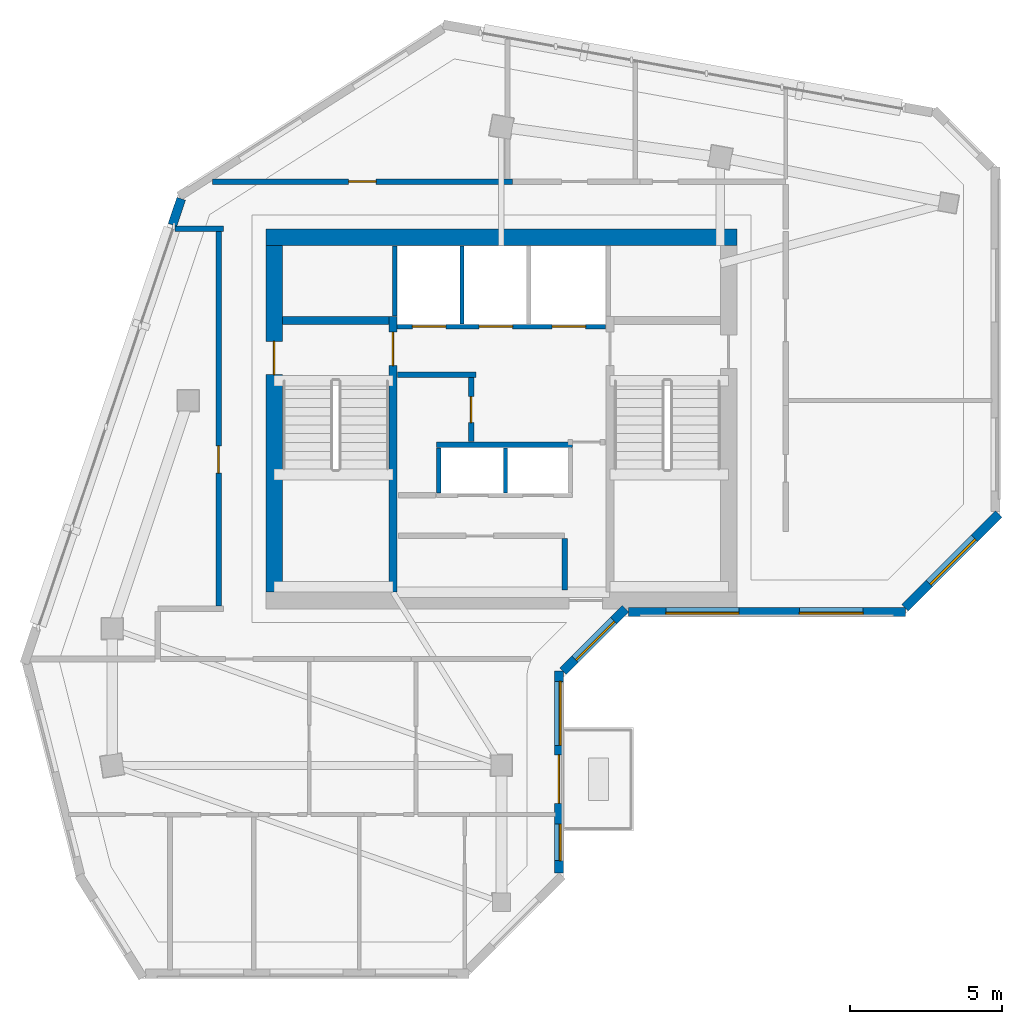
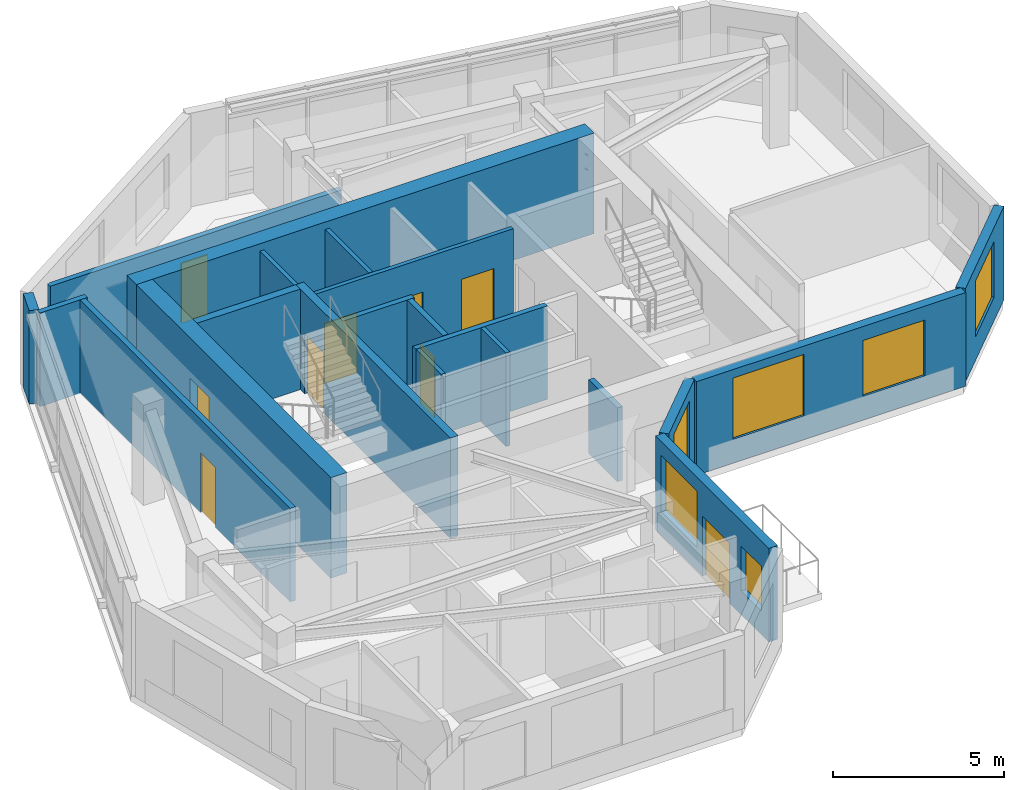
# One storey, part 4 of 8: 21 walls, 9 doors, 6 windows, 15 openings.
"""IFC4 building model written with IfcOpenShell, lengths in metres."""

from ifc_helpers import new_model, si_unit, direction, frame, frame_2d, origin, place, context, subcontext, project, spatial, rectangle, extrude, source, transform, mapped, material, layer, layer_set, type_object, element, fill, save


model = new_model("IFC4")

# Units and contexts
model_context = context("Model", 3, precision=1e-05, world=origin(), true_north=direction((0.0, 1.0)))
body_context = subcontext(model_context, "Body", "Model", "MODEL_VIEW")
ifc_project = project(units=[si_unit("LENGTHUNIT", "METRE"), si_unit("AREAUNIT", "SQUARE_METRE"), si_unit("VOLUMEUNIT", "CUBIC_METRE"), si_unit("PLANEANGLEUNIT", "RADIAN"), si_unit("MASSUNIT", "GRAM", prefix="KILO")], contexts=[model_context])

# Site, building, storey
site_placement = place(None, origin())
site = spatial("IfcSite", under=ifc_project, at=site_placement, CompositionType="ELEMENT")
building_placement = place(site_placement, origin())
building = spatial("IfcBuilding", under=site, at=building_placement, Name="Calvemar Wedge Station Tower", CompositionType="ELEMENT")
storey_placement = place(building_placement, frame((0.0, 0.0, 281.699951171875)))
storey = spatial("IfcBuildingStorey", under=building, at=storey_placement, Name="L72", CompositionType="ELEMENT", Elevation=281.699951171875)

# Wall, opening, door
ifc_material_1 = material(Name="Concrete C50", Category="concrete")
ifc_layer_1 = layer(ifc_material_1, 0.260009765625)
ifc_layer_set_1 = layer_set([ifc_layer_1], Name="Concrete C50")
wall_type_1 = type_object("IfcWallType", Name="SW-CORE-260", PredefinedType="SHEAR", material=ifc_layer_set_1)
wall_1_placement = place(storey_placement, frame((20.22998046875, 34.199951171875, 0.0), z_axis=(0.0, 0.0, 1.0), x_axis=(0.0, 1.0, 0.0)))
wall_1 = element("IfcWall", 1, at=wall_1_placement, inside=storey, type_object=wall_type_1, Name="Storey L72 Core Shear Wall SPINE-W", PredefinedType="SHEAR", context=body_context, shape_type="SweptSolid", body=[
    extrude(rectangle(XDim=9.06005859375, YDim=0.260009765625, at=frame_2d((4.530029296875, 0.0))), origin(), (0.0, 0.0, 1.0), 3.60009765625),
])
shared_shape_1 = source(origin(), body_context, "Body", "SweptSolid", [
    extrude(rectangle(XDim=1.10009765625, YDim=2.14990234375, at=frame_2d((0.550048828125, 1.074951171875))), frame((0.0, 0.14013671875, 0.0), z_axis=(0.0, -1.0, 0.0), x_axis=(1.0, 0.0, 0.0)), (0.0, 0.0, 1.0), 0.280029296875),
])
opening_1_placement = place(wall_1_placement, frame((7.449951171875, 0.0, 0.0)))
opening_1 = element("IfcOpeningElement", 2, at=opening_1_placement, cuts=wall_1, Name="Opening FD-90", PredefinedType="OPENING", context=body_context, shape_type="MappedRepresentation", body=[
    mapped(shared_shape_1, transform((0.0, 0.0, 0.0), scale=1.0)),
])
ifc_material_2 = material(Name="Galvanized fire-rated steel door leaf P-90", Category="steel")
door_type_1 = type_object("IfcDoorType", Name="DR-FD90-1100", OperationType="NOTDEFINED", PredefinedType="DOOR", material=ifc_material_2)
shared_shape_2 = source(origin(), body_context, "Body", "SweptSolid", [
    extrude(rectangle(XDim=1.10009765625, YDim=2.14990234375, at=frame_2d((0.550048828125, 1.074951171875))), frame((0.0, 0.02490234375, 0.0), z_axis=(0.0, -1.0, 0.0), x_axis=(1.0, 0.0, 0.0)), (0.0, 0.0, 1.0), 0.050048828125),
])
door_1_placement = place(opening_1_placement, origin())
door_1 = element("IfcDoor", 3, at=door_1_placement, inside=storey, type_object=door_type_1, Name="L72 FF Lobby to Stair ST-C1 Door", OperationType="SINGLE_SWING_RIGHT", OverallHeight=2.14990234375, OverallWidth=1.10009765625, PredefinedType="DOOR", context=body_context, shape_type="MappedRepresentation", body=[
    mapped(shared_shape_2, transform((0.0, 0.0, 0.0), scale=1.0)),
])
fill(opening_1, door_1)

# Walls
wall_2_placement = place(storey_placement, frame((16.60009765625, 43.1298828125, 0.0), z_axis=(0.0, 0.0, 1.0), x_axis=(1.0, 0.0, 0.0)))
element("IfcWall", 4, at=wall_2_placement, inside=storey, type_object=wall_type_1, Name="Storey L72 Core Shear Wall STC1-N", PredefinedType="SHEAR", context=body_context, shape_type="SweptSolid", body=[
    extrude(rectangle(XDim=3.5, YDim=0.260009765625, at=frame_2d((1.75, 0.0))), origin(), (0.0, 0.0, 1.0), 3.60009765625),
])
ifc_material_3 = material(Name="Concrete C60", Category="concrete")
ifc_layer_2 = layer(ifc_material_3, 0.550048828125)
ifc_layer_set_2 = layer_set([ifc_layer_2], Name="Concrete C60")
wall_type_2 = type_object("IfcWallType", Name="SW-CORE-550", PredefinedType="SHEAR", material=ifc_layer_set_2)
wall_3_placement = place(storey_placement, frame((16.050048828125, 45.875, 0.0), z_axis=(0.0, 0.0, 1.0), x_axis=(1.0, 0.0, 0.0)))
element("IfcWall", 5, at=wall_3_placement, inside=storey, type_object=wall_type_2, Name="Storey L72 Core Shear Wall N", PredefinedType="SHEAR", context=body_context, shape_type="SweptSolid", body=[
    extrude(rectangle(XDim=15.5, YDim=0.550048828125, at=frame_2d((7.75, 0.0))), origin(), (0.0, 0.0, 1.0), 3.60009765625),
])

# Wall, opening, door
wall_4_placement = place(storey_placement, frame((16.324951171875, 34.199951171875, 0.0), z_axis=(0.0, 0.0, 1.0), x_axis=(0.0, 1.0, 0.0)))
wall_4 = element("IfcWall", 6, at=wall_4_placement, inside=storey, type_object=wall_type_2, Name="Storey L72 Core Shear Wall W", PredefinedType="SHEAR", context=body_context, shape_type="SweptSolid", body=[
    extrude(rectangle(XDim=11.400146484375, YDim=0.550048828125, at=frame_2d((5.7001953125, 0.0))), origin(), (0.0, 0.0, 1.0), 3.60009765625),
])
shared_shape_3 = source(origin(), body_context, "Body", "SweptSolid", [
    extrude(rectangle(XDim=1.10009765625, YDim=2.14990234375, at=frame_2d((0.550048828125, 1.074951171875))), frame((0.0, 0.28515625, 0.0), z_axis=(0.0, -1.0, 0.0), x_axis=(1.0, 0.0, 0.0)), (0.0, 0.0, 1.0), 0.570068359375),
])
opening_2_placement = place(wall_4_placement, frame((7.14990234375, 0.0, 0.0)))
opening_2 = element("IfcOpeningElement", 7, at=opening_2_placement, cuts=wall_4, Name="Opening FD-90", PredefinedType="OPENING", context=body_context, shape_type="MappedRepresentation", body=[
    mapped(shared_shape_3, transform((0.0, 0.0, 0.0), scale=1.0)),
])
door_2_placement = place(opening_2_placement, origin())
door_2 = element("IfcDoor", 8, at=door_2_placement, inside=storey, type_object=door_type_1, Name="L72 West Corridor to Exit Stair ST-C1 Door", OperationType="SINGLE_SWING_RIGHT", OverallHeight=2.14990234375, OverallWidth=1.10009765625, PredefinedType="DOOR", context=body_context, shape_type="MappedRepresentation", body=[
    mapped(shared_shape_2, transform((0.0, 0.0, 0.0), scale=1.0)),
])
fill(opening_2, door_2)

# Wall
ifc_material_4 = material(Name="Double-stud fire-rated corridor partition")
ifc_layer_3 = layer(ifc_material_4, 0.179931640625)
ifc_layer_set_3 = layer_set([ifc_layer_3], Name="Double-stud fire-rated corridor partition")
wall_type_3 = type_object("IfcWallType", Name="W-CORR-180", PredefinedType="PARTITIONING", material=ifc_layer_set_3)
wall_5_placement = place(storey_placement, frame((22.9599609375, 41.35009765625, 0.0), z_axis=(0.0, 0.0, 1.0), x_axis=(-1.0, 0.0, 0.0)))
element("IfcWall", 9, at=wall_5_placement, inside=storey, type_object=wall_type_3, Name="Storey L72 Interior Partition WL-L72-001", PredefinedType="PARTITIONING", context=body_context, shape_type="SweptSolid", body=[
    extrude(rectangle(XDim=2.580078125, YDim=0.179931640625, at=frame_2d((1.2900390625, 0.0))), origin(), (0.0, 0.0, 1.0), 3.35009765625),
])

# Wall, opening, door
wall_6_placement = place(storey_placement, frame((22.800048828125, 41.256103515625, 0.0), z_axis=(0.0, 0.0, 1.0), x_axis=(0.0, -1.0, 0.0)))
wall_6 = element("IfcWall", 10, at=wall_6_placement, inside=storey, type_object=wall_type_3, Name="Storey L72 Interior Partition WL-L72-002", PredefinedType="PARTITIONING", context=body_context, shape_type="SweptSolid", body=[
    extrude(rectangle(XDim=2.106201171875, YDim=0.179931640625, at=frame_2d((1.05322265625, 0.0))), origin(), (0.0, 0.0, 1.0), 3.35009765625),
])
shared_shape_4 = source(origin(), body_context, "Body", "SweptSolid", [
    extrude(rectangle(XDim=0.85009765625, YDim=2.14990234375, at=frame_2d((0.425048828125, 1.074951171875))), frame((0.0, 0.10009765625, 0.0), z_axis=(0.0, -1.0, 0.0), x_axis=(1.0, 0.0, 0.0)), (0.0, 0.0, 1.0), 0.199951171875),
])
opening_3_placement = place(wall_6_placement, frame((0.6279296875, 0.0, 0.0)))
opening_3 = element("IfcOpeningElement", 11, at=opening_3_placement, cuts=wall_6, Name="Opening FD-60S", PredefinedType="OPENING", context=body_context, shape_type="MappedRepresentation", body=[
    mapped(shared_shape_4, transform((0.0, 0.0, 0.0), scale=1.0)),
])
ifc_material_5 = material(Name="Fire-rated steel and hardwood service door EI 60", Category="steel")
door_type_2 = type_object("IfcDoorType", Name="DR-CORE-FD60-850", OperationType="NOTDEFINED", PredefinedType="DOOR", material=ifc_material_5)
shared_shape_5 = source(origin(), body_context, "Body", "SweptSolid", [
    extrude(rectangle(XDim=0.85009765625, YDim=2.14990234375, at=frame_2d((0.425048828125, 1.074951171875))), frame((0.0, 0.02490234375, 0.0), z_axis=(0.0, -1.0, 0.0), x_axis=(1.0, 0.0, 0.0)), (0.0, 0.0, 1.0), 0.050048828125),
])
door_3_placement = place(opening_3_placement, origin())
door_3 = element("IfcDoor", 12, at=door_3_placement, inside=storey, type_object=door_type_2, Name="L72 Core Electrical Switch Room Door", OperationType="SINGLE_SWING_LEFT", OverallHeight=2.14990234375, OverallWidth=0.85009765625, PredefinedType="DOOR", context=body_context, shape_type="MappedRepresentation", body=[
    mapped(shared_shape_5, transform((0.0, 0.0, 0.0), scale=1.0)),
])
fill(opening_3, door_3)

# Wall
wall_7_placement = place(storey_placement, frame((25.8798828125, 35.9560546875, 0.0), z_axis=(0.0, 0.0, 1.0), x_axis=(0.0, -1.0, 0.0)))
element("IfcWall", 13, at=wall_7_placement, inside=storey, type_object=wall_type_3, Name="Storey L72 Interior Partition WL-L72-006", PredefinedType="PARTITIONING", context=body_context, shape_type="SweptSolid", body=[
    extrude(rectangle(XDim=1.68603515625, YDim=0.179931640625, at=frame_2d((0.843017578125, 0.0))), origin(), (0.0, 0.0, 1.0), 2.64208984375),
])

# Wall, opening, door
wall_8_placement = place(storey_placement, frame((14.5, 33.743896484375, 0.0), z_axis=(0.0, 0.0, 1.0), x_axis=(0.0, 1.0, 0.0)))
wall_8 = element("IfcWall", 14, at=wall_8_placement, inside=storey, type_object=wall_type_3, Name="Storey L72 Interior Partition WL-L72-012", PredefinedType="PARTITIONING", context=body_context, shape_type="SweptSolid", body=[
    extrude(rectangle(XDim=12.406005859375, YDim=0.179931640625, at=frame_2d((6.203125, 0.0))), origin(), (0.0, 0.0, 1.0), 3.35009765625),
])
shared_shape_6 = source(origin(), body_context, "Body", "SweptSolid", [
    extrude(rectangle(XDim=0.89990234375, YDim=2.14990234375, at=frame_2d((0.449951171875, 1.074951171875))), frame((0.0, 0.10009765625, 0.0), z_axis=(0.0, -1.0, 0.0), x_axis=(1.0, 0.0, 0.0)), (0.0, 0.0, 1.0), 0.199951171875),
])
opening_4_placement = place(wall_8_placement, frame((4.36962890625, 0.0, 0.0)))
opening_4 = element("IfcOpeningElement", 15, at=opening_4_placement, cuts=wall_8, Name="Opening D-01", PredefinedType="OPENING", context=body_context, shape_type="MappedRepresentation", body=[
    mapped(shared_shape_6, transform((0.0, 0.0, 0.0), scale=1.0)),
])
ifc_material_6 = material(Name="Architectural hardwood acoustic swing door", Category="wood")
door_type_3 = type_object("IfcDoorType", Name="DR-INT-900", OperationType="NOTDEFINED", PredefinedType="DOOR", material=ifc_material_6)
shared_shape_7 = source(origin(), body_context, "Body", "SweptSolid", [
    extrude(rectangle(XDim=0.89990234375, YDim=2.14990234375, at=frame_2d((0.449951171875, 1.074951171875))), frame((0.0, 0.02490234375, 0.0), z_axis=(0.0, -1.0, 0.0), x_axis=(1.0, 0.0, 0.0)), (0.0, 0.0, 1.0), 0.050048828125),
])
door_4_placement = place(opening_4_placement, origin())
door_4 = element("IfcDoor", 16, at=door_4_placement, inside=storey, type_object=door_type_3, Name="L72 Resident Reading Lounge Door", OperationType="SINGLE_SWING_RIGHT", OverallHeight=2.14990234375, OverallWidth=0.89990234375, PredefinedType="DOOR", context=body_context, shape_type="MappedRepresentation", body=[
    mapped(shared_shape_7, transform((0.0, 0.0, 0.0), scale=1.0)),
])
fill(opening_4, door_4)

# Wall
wall_9_placement = place(storey_placement, frame((14.659912109375, 46.14990234375, 0.0), z_axis=(0.0, 0.0, 1.0), x_axis=(-1.0, 0.0, 0.0)))
element("IfcWall", 17, at=wall_9_placement, inside=storey, type_object=wall_type_3, Name="Storey L72 Interior Partition WL-L72-013", PredefinedType="PARTITIONING", context=body_context, shape_type="SweptSolid", body=[
    extrude(rectangle(XDim=1.602294921875, YDim=0.179931640625, at=frame_2d((0.80126953125, 0.0))), origin(), (0.0, 0.0, 1.0), 3.35009765625),
])

# Wall, opening, door
wall_10_placement = place(storey_placement, frame((14.29541015625, 47.699951171875, 0.0), z_axis=(0.0, 0.0, 1.0), x_axis=(1.0, 0.0, 0.0)))
wall_10 = element("IfcWall", 18, at=wall_10_placement, inside=storey, type_object=wall_type_3, Name="Storey L72 Interior Partition WL-L72-014", PredefinedType="PARTITIONING", context=body_context, shape_type="SweptSolid", body=[
    extrude(rectangle(XDim=9.864501953125, YDim=0.179931640625, at=frame_2d((4.93212890625, 0.0))), origin(), (0.0, 0.0, 1.0), 2.93505859375),
])
opening_5_placement = place(wall_10_placement, frame((4.482421875, 0.0, 0.0)))
opening_5 = element("IfcOpeningElement", 19, at=opening_5_placement, cuts=wall_10, Name="Opening D-01", PredefinedType="OPENING", context=body_context, shape_type="MappedRepresentation", body=[
    mapped(shared_shape_6, transform((0.0, 0.0, 0.0), scale=1.0)),
])
door_5_placement = place(opening_5_placement, origin())
door_5 = element("IfcDoor", 20, at=door_5_placement, inside=storey, type_object=door_type_3, Name="L72 Summit Pantry Door", OperationType="SINGLE_SWING_LEFT", OverallHeight=2.14990234375, OverallWidth=0.89990234375, PredefinedType="DOOR", context=body_context, shape_type="MappedRepresentation", body=[
    mapped(shared_shape_7, transform((0.0, 0.0, 0.0), scale=1.0)),
])
fill(opening_5, door_5)

# Wall, openings, windows, door
ifc_material_7 = material(Name="Precast concrete C45", Category="concrete")
ifc_layer_4 = layer(ifc_material_7, 0.300048828125)
ifc_layer_set_4 = layer_set([ifc_layer_4], Name="Precast concrete C45")
wall_type_4 = type_object("IfcWallType", Name="W-EXT-GFRC-300", PredefinedType="SOLIDWALL", material=ifc_layer_set_4)
wall_11_placement = place(storey_placement, frame((25.68994140625, 24.957275390625, 0.0), z_axis=(0.0, 0.0, 1.0), x_axis=(0.0, 1.0, 0.0)))
wall_11 = element("IfcWall", 21, at=wall_11_placement, inside=storey, type_object=wall_type_4, Name="Storey L72 Bronze GFRC Exterior Wall 4", PredefinedType="SOLIDWALL", context=body_context, shape_type="SweptSolid", body=[
    extrude(rectangle(XDim=6.65478515625, YDim=0.300048828125, at=frame_2d((3.327392578125, 0.0))), origin(), (0.0, 0.0, 1.0), 3.35009765625),
])
shared_shape_8 = source(origin(), body_context, "Body", "SweptSolid", [
    extrude(rectangle(XDim=1.60009765625, YDim=2.14990234375, at=frame_2d((0.800048828125, 1.074951171875))), frame((0.0, 0.16015625, 0.0), z_axis=(0.0, -1.0, 0.0), x_axis=(1.0, 0.0, 0.0)), (0.0, 0.0, 1.0), 0.320068359375),
])
opening_6_placement = place(wall_11_placement, frame((2.29296875, 0.0, 0.0)))
opening_6 = element("IfcOpeningElement", 22, at=opening_6_placement, cuts=wall_11, Name="Opening DT1", PredefinedType="OPENING", context=body_context, shape_type="MappedRepresentation", body=[
    mapped(shared_shape_8, transform((0.0, 0.0, 0.0), scale=1.0)),
])
shared_shape_9 = source(origin(), body_context, "Body", "SweptSolid", [
    extrude(rectangle(XDim=1.199951171875, YDim=1.60009765625, at=frame_2d((0.60009765625, 0.800048828125))), frame((0.0, 0.16015625, 0.0), z_axis=(0.0, -1.0, 0.0), x_axis=(1.0, 0.0, 0.0)), (0.0, 0.0, 1.0), 0.320068359375),
])
opening_7_placement = place(wall_11_placement, frame((0.4130859375, 0.0, 0.85009765625)))
opening_7 = element("IfcOpeningElement", 23, at=opening_7_placement, cuts=wall_11, Name="Opening W5", PredefinedType="OPENING", context=body_context, shape_type="MappedRepresentation", body=[
    mapped(shared_shape_9, transform((0.0, 0.0, 0.0), scale=1.0)),
])
shared_shape_10 = source(origin(), body_context, "Body", "SweptSolid", [
    extrude(rectangle(XDim=2.10009765625, YDim=2.0, at=frame_2d((1.050048828125, 1.0))), frame((0.0, 0.16015625, 0.0), z_axis=(0.0, -1.0, 0.0), x_axis=(1.0, 0.0, 0.0)), (0.0, 0.0, 1.0), 0.320068359375),
])
opening_8_placement = place(wall_11_placement, frame((4.2041015625, 0.0, 0.85009765625)))
opening_8 = element("IfcOpeningElement", 24, at=opening_8_placement, cuts=wall_11, Name="Opening W4", PredefinedType="OPENING", context=body_context, shape_type="MappedRepresentation", body=[
    mapped(shared_shape_10, transform((0.0, 0.0, 0.0), scale=1.0)),
])
ifc_material_8 = material(Name="Low-E laminated insulated glass", Category="glass")
window_type_1 = type_object("IfcWindowType", Name="WIN-EXT-4", PartitioningType="SINGLE_PANEL", PredefinedType="WINDOW", material=ifc_material_8)
shared_shape_11 = source(origin(), body_context, "Body", "SweptSolid", [
    extrude(rectangle(XDim=2.10009765625, YDim=2.0, at=frame_2d((1.050048828125, 1.0))), frame((0.0, -0.014892578125, 0.0), z_axis=(0.0, -1.0, 0.0), x_axis=(1.0, 0.0, 0.0)), (0.0, 0.0, 1.0), 0.06005859375),
])
window_1_placement = place(opening_8_placement, origin())
window_1 = element("IfcWindow", 25, at=window_1_placement, inside=storey, type_object=window_type_1, Name="Storey L72 Recessed Window 4.2", OverallHeight=2.0, OverallWidth=2.10009765625, PartitioningType="SINGLE_PANEL", PredefinedType="WINDOW", context=body_context, shape_type="MappedRepresentation", body=[
    mapped(shared_shape_11, transform((0.0, 0.0, 0.0), scale=1.0)),
])
fill(opening_8, window_1)
ifc_material_9 = material(Name="Anodised aluminium 6063-T6", Category="aluminium")
door_type_4 = type_object("IfcDoorType", Name="DR-TERR-1600", OperationType="DOUBLE_DOOR_SLIDING", PredefinedType="DOOR", material=ifc_material_9)
shared_shape_12 = source(origin(), body_context, "Body", "SweptSolid", [
    extrude(rectangle(XDim=1.60009765625, YDim=2.14990234375, at=frame_2d((0.800048828125, 1.074951171875))), frame((0.0, 0.02490234375, 0.0), z_axis=(0.0, -1.0, 0.0), x_axis=(1.0, 0.0, 0.0)), (0.0, 0.0, 1.0), 0.050048828125),
])
door_6_placement = place(opening_6_placement, origin())
door_6 = element("IfcDoor", 26, at=door_6_placement, inside=storey, type_object=door_type_4, Name="Storey L72 Spiral Terrace Door", OperationType="DOUBLE_DOOR_SLIDING", OverallHeight=2.14990234375, OverallWidth=1.60009765625, PredefinedType="DOOR", context=body_context, shape_type="MappedRepresentation", body=[
    mapped(shared_shape_12, transform((0.0, 0.0, 0.0), scale=1.0)),
])
fill(opening_6, door_6)
window_type_2 = type_object("IfcWindowType", Name="WIN-EXT-5", PartitioningType="SINGLE_PANEL", PredefinedType="WINDOW", material=ifc_material_8)
shared_shape_13 = source(origin(), body_context, "Body", "SweptSolid", [
    extrude(rectangle(XDim=1.199951171875, YDim=1.60009765625, at=frame_2d((0.60009765625, 0.800048828125))), frame((0.0, -0.014892578125, 0.0), z_axis=(0.0, -1.0, 0.0), x_axis=(1.0, 0.0, 0.0)), (0.0, 0.0, 1.0), 0.06005859375),
])
window_2_placement = place(opening_7_placement, origin())
window_2 = element("IfcWindow", 27, at=window_2_placement, inside=storey, type_object=window_type_2, Name="Storey L72 Recessed Window 4.1", OverallHeight=1.60009765625, OverallWidth=1.199951171875, PartitioningType="SINGLE_PANEL", PredefinedType="WINDOW", context=body_context, shape_type="MappedRepresentation", body=[
    mapped(shared_shape_13, transform((0.0, 0.0, 0.0), scale=1.0)),
])
fill(opening_7, window_2)

# Wall, opening, window
wall_12_placement = place(storey_placement, frame((25.827880859375, 31.60009765625, 0.0), z_axis=(0.0, 0.0, 1.0), x_axis=(0.707106781187, 0.707106781187, 0.0)))
wall_12 = element("IfcWall", 28, at=wall_12_placement, inside=storey, type_object=wall_type_4, Name="Storey L72 Bronze GFRC Exterior Wall 5", PredefinedType="SOLIDWALL", context=body_context, shape_type="SweptSolid", body=[
    extrude(rectangle(XDim=2.907470703125, YDim=0.300048828125, at=frame_2d((1.45361328125, 0.0))), origin(), (0.0, 0.0, 1.0), 3.35009765625),
])
shared_shape_14 = source(origin(), body_context, "Body", "SweptSolid", [
    extrude(rectangle(XDim=1.800048828125, YDim=2.10009765625, at=frame_2d((0.89990234375, 1.050048828125))), frame((0.0, 0.16015625, 0.0), z_axis=(0.0, -1.0, 0.0), x_axis=(1.0, 0.0, 0.0)), (0.0, 0.0, 1.0), 0.320068359375),
])
opening_9_placement = place(wall_12_placement, frame((0.553955078125, 0.0, 0.85009765625)))
opening_9 = element("IfcOpeningElement", 29, at=opening_9_placement, cuts=wall_12, Name="Opening W2", PredefinedType="OPENING", context=body_context, shape_type="MappedRepresentation", body=[
    mapped(shared_shape_14, transform((0.0, 0.0, 0.0), scale=1.0)),
])
window_type_3 = type_object("IfcWindowType", Name="WIN-EXT-2", PartitioningType="SINGLE_PANEL", PredefinedType="WINDOW", material=ifc_material_8)
shared_shape_15 = source(origin(), body_context, "Body", "SweptSolid", [
    extrude(rectangle(XDim=1.800048828125, YDim=2.10009765625, at=frame_2d((0.89990234375, 1.050048828125))), frame((0.0, -0.014892578125, 0.0), z_axis=(0.0, -1.0, 0.0), x_axis=(1.0, 0.0, 0.0)), (0.0, 0.0, 1.0), 0.06005859375),
])
window_3_placement = place(opening_9_placement, origin())
window_3 = element("IfcWindow", 30, at=window_3_placement, inside=storey, type_object=window_type_3, Name="Storey L72 Recessed Window 5.1", OverallHeight=2.10009765625, OverallWidth=1.800048828125, PartitioningType="SINGLE_PANEL", PredefinedType="WINDOW", context=body_context, shape_type="MappedRepresentation", body=[
    mapped(shared_shape_15, transform((0.0, 0.0, 0.0), scale=1.0)),
])
fill(opening_9, window_3)

# Wall, openings, windows
wall_13_placement = place(storey_placement, frame((27.972900390625, 33.550048828125, 0.0), z_axis=(0.0, 0.0, 1.0), x_axis=(1.0, 0.0, 0.0)))
wall_13 = element("IfcWall", 31, at=wall_13_placement, inside=storey, type_object=wall_type_4, Name="Storey L72 Bronze GFRC Exterior Wall 6", PredefinedType="SOLIDWALL", context=body_context, shape_type="SweptSolid", body=[
    extrude(rectangle(XDim=9.114990234375, YDim=0.300048828125, at=frame_2d((4.5576171875, 0.0))), origin(), (0.0, 0.0, 1.0), 3.35009765625),
])
shared_shape_16 = source(origin(), body_context, "Body", "SweptSolid", [
    extrude(rectangle(XDim=2.39990234375, YDim=2.199951171875, at=frame_2d((1.199951171875, 1.10009765625))), frame((0.0, 0.16015625, 0.0), z_axis=(0.0, -1.0, 0.0), x_axis=(1.0, 0.0, 0.0)), (0.0, 0.0, 1.0), 0.320068359375),
])
opening_10_placement = place(wall_13_placement, frame((1.239013671875, 0.0, 0.85009765625)))
opening_10 = element("IfcOpeningElement", 32, at=opening_10_placement, cuts=wall_13, Name="Opening W1", PredefinedType="OPENING", context=body_context, shape_type="MappedRepresentation", body=[
    mapped(shared_shape_16, transform((0.0, 0.0, 0.0), scale=1.0)),
])
opening_11_placement = place(wall_13_placement, frame((5.6259765625, 0.0, 0.85009765625)))
opening_11 = element("IfcOpeningElement", 33, at=opening_11_placement, cuts=wall_13, Name="Opening W4", PredefinedType="OPENING", context=body_context, shape_type="MappedRepresentation", body=[
    mapped(shared_shape_10, transform((0.0, 0.0, 0.0), scale=1.0)),
])
window_4_placement = place(opening_11_placement, origin())
window_4 = element("IfcWindow", 34, at=window_4_placement, inside=storey, type_object=window_type_1, Name="Storey L72 Recessed Window 6.2", OverallHeight=2.0, OverallWidth=2.10009765625, PartitioningType="SINGLE_PANEL", PredefinedType="WINDOW", context=body_context, shape_type="MappedRepresentation", body=[
    mapped(shared_shape_11, transform((0.0, 0.0, 0.0), scale=1.0)),
])
fill(opening_11, window_4)
window_type_4 = type_object("IfcWindowType", Name="WIN-EXT-1", PartitioningType="SINGLE_PANEL", PredefinedType="WINDOW", material=ifc_material_8)
shared_shape_17 = source(origin(), body_context, "Body", "SweptSolid", [
    extrude(rectangle(XDim=2.39990234375, YDim=2.199951171875, at=frame_2d((1.199951171875, 1.10009765625))), frame((0.0, -0.014892578125, 0.0), z_axis=(0.0, -1.0, 0.0), x_axis=(1.0, 0.0, 0.0)), (0.0, 0.0, 1.0), 0.06005859375),
])
window_5_placement = place(opening_10_placement, origin())
window_5 = element("IfcWindow", 35, at=window_5_placement, inside=storey, type_object=window_type_4, Name="Storey L72 Recessed Window 6.1", OverallHeight=2.199951171875, OverallWidth=2.39990234375, PartitioningType="SINGLE_PANEL", PredefinedType="WINDOW", context=body_context, shape_type="MappedRepresentation", body=[
    mapped(shared_shape_17, transform((0.0, 0.0, 0.0), scale=1.0)),
])
fill(opening_10, window_5)

# Wall, opening, window
wall_14_placement = place(storey_placement, frame((37.075927734375, 33.68798828125, 0.0), z_axis=(0.0, 0.0, 1.0), x_axis=(0.707078757535, 0.707134803727, 0.0)))
wall_14 = element("IfcWall", 36, at=wall_14_placement, inside=storey, type_object=wall_type_4, Name="Storey L72 Bronze GFRC Exterior Wall 7", PredefinedType="SOLIDWALL", context=body_context, shape_type="SweptSolid", body=[
    extrude(rectangle(XDim=4.35595703125, YDim=0.300048828125, at=frame_2d((2.177978515625, 0.0))), origin(), (0.0, 0.0, 1.0), 3.35009765625),
])
opening_12_placement = place(wall_14_placement, frame((1.1279296875, 0.0, 0.85009765625)))
opening_12 = element("IfcOpeningElement", 37, at=opening_12_placement, cuts=wall_14, Name="Opening W4", PredefinedType="OPENING", context=body_context, shape_type="MappedRepresentation", body=[
    mapped(shared_shape_10, transform((0.0, 0.0, 0.0), scale=1.0)),
])
window_6_placement = place(opening_12_placement, origin())
window_6 = element("IfcWindow", 38, at=window_6_placement, inside=storey, type_object=window_type_1, Name="Storey L72 Recessed Window 7.1", OverallHeight=2.0, OverallWidth=2.10009765625, PartitioningType="SINGLE_PANEL", PredefinedType="WINDOW", context=body_context, shape_type="MappedRepresentation", body=[
    mapped(shared_shape_11, transform((0.0, 0.0, 0.0), scale=1.0)),
])
fill(opening_12, window_6)

# Wall
wall_15_placement = place(storey_placement, frame((13.2685546875, 47.1337890625, 0.0), z_axis=(0.0, 0.0, 1.0), x_axis=(-0.31995770778, -0.947431826166, 0.0)))
element("IfcWall", 39, at=wall_15_placement, inside=storey, type_object=wall_type_4, Name="Storey L72 Bronze GFRC Corner Pier 12A", PredefinedType="SOLIDWALL", context=body_context, shape_type="SweptSolid", body=[
    extrude(rectangle(XDim=0.902587890625, YDim=0.300048828125, at=frame_2d((0.451171875, 0.0))), origin(), (0.0, 0.0, 1.0), 3.35009765625),
])

# Wall, openings, doors
ifc_material_10 = material(Name="Reinforced concrete blockwork lift shaft wall", Category="masonry")
ifc_layer_5 = layer(ifc_material_10, 0.139892578125)
ifc_layer_set_5 = layer_set([ifc_layer_5], Name="Reinforced concrete blockwork lift shaft wall")
wall_type_5 = type_object("IfcWallType", Name="W-LIFT-160", PredefinedType="SOLIDWALL", material=ifc_layer_set_5)
wall_16_placement = place(storey_placement, frame((20.3701171875, 42.929931640625, 0.0), z_axis=(0.0, 0.0, 1.0), x_axis=(1.0, 0.0, 0.0)))
wall_16 = element("IfcWall", 40, at=wall_16_placement, inside=storey, type_object=wall_type_5, Name="Storey L72 Firefighting and Service Lift Shaft Front Wall", PredefinedType="SOLIDWALL", context=body_context, shape_type="SweptSolid", body=[
    extrude(rectangle(XDim=6.85986328125, YDim=0.139892578125, at=frame_2d((3.429931640625, 0.0))), origin(), (0.0, 0.0, 1.0), 3.35009765625),
])
shared_shape_18 = source(origin(), body_context, "Body", "SweptSolid", [
    extrude(rectangle(XDim=1.10009765625, YDim=2.14990234375, at=frame_2d((0.550048828125, 1.074951171875))), frame((0.0, 0.080078125, 0.0), z_axis=(0.0, -1.0, 0.0), x_axis=(1.0, 0.0, 0.0)), (0.0, 0.0, 1.0), 0.159912109375),
])
opening_13_placement = place(wall_16_placement, frame((0.5, 0.0, 0.0)))
opening_13 = element("IfcOpeningElement", 41, at=opening_13_placement, cuts=wall_16, Name="Opening LD-FF", PredefinedType="OPENING", context=body_context, shape_type="MappedRepresentation", body=[
    mapped(shared_shape_18, transform((0.0, 0.0, 0.0), scale=1.0)),
])
opening_14_placement = place(wall_16_placement, frame((2.699951171875, 0.0, 0.0)))
opening_14 = element("IfcOpeningElement", 42, at=opening_14_placement, cuts=wall_16, Name="Opening LD-FF", PredefinedType="OPENING", context=body_context, shape_type="MappedRepresentation", body=[
    mapped(shared_shape_18, transform((0.0, 0.0, 0.0), scale=1.0)),
])
opening_15_placement = place(wall_16_placement, frame((5.10009765625, 0.0, 0.0)))
opening_15 = element("IfcOpeningElement", 43, at=opening_15_placement, cuts=wall_16, Name="Opening LD-STN", PredefinedType="OPENING", context=body_context, shape_type="MappedRepresentation", body=[
    mapped(shared_shape_18, transform((0.0, 0.0, 0.0), scale=1.0)),
])
ifc_material_11 = material(Name="Stainless steel firefighting lift sliding landing door", Category="steel")
door_type_5 = type_object("IfcDoorType", Name="DR-LD-FF-1100", OperationType="SLIDING_TO_LEFT", PredefinedType="DOOR", material=ifc_material_11)
shared_shape_19 = source(origin(), body_context, "Body", "SweptSolid", [
    extrude(rectangle(XDim=1.10009765625, YDim=2.14990234375, at=frame_2d((0.550048828125, 1.074951171875))), frame((0.0, 0.02490234375, 0.0), z_axis=(0.0, -1.0, 0.0), x_axis=(1.0, 0.0, 0.0)), (0.0, 0.0, 1.0), 0.050048828125),
])
door_7_placement = place(opening_13_placement, origin())
door_7 = element("IfcDoor", 44, at=door_7_placement, inside=storey, type_object=door_type_5, Name="L72 Lift FF-01 Sliding Landing Door", OperationType="SLIDING_TO_LEFT", OverallHeight=2.14990234375, OverallWidth=1.10009765625, PredefinedType="DOOR", context=body_context, shape_type="MappedRepresentation", body=[
    mapped(shared_shape_19, transform((0.0, 0.0, 0.0), scale=1.0)),
])
fill(opening_13, door_7)
door_8_placement = place(opening_14_placement, origin())
door_8 = element("IfcDoor", 45, at=door_8_placement, inside=storey, type_object=door_type_5, Name="L72 Lift FF-02 Sliding Landing Door", OperationType="SLIDING_TO_RIGHT", OverallHeight=2.14990234375, OverallWidth=1.10009765625, PredefinedType="DOOR", context=body_context, shape_type="MappedRepresentation", body=[
    mapped(shared_shape_19, transform((0.0, 0.0, 0.0), scale=1.0)),
])
fill(opening_14, door_8)
ifc_material_12 = material(Name="Stainless steel transit lift sliding landing door", Category="steel")
door_type_6 = type_object("IfcDoorType", Name="DR-LD-PAX-1100", OperationType="SLIDING_TO_LEFT", PredefinedType="DOOR", material=ifc_material_12)
shared_shape_20 = source(origin(), body_context, "Body", "SweptSolid", [
    extrude(rectangle(XDim=1.10009765625, YDim=2.14990234375, at=frame_2d((0.550048828125, 1.074951171875))), frame((0.0, 0.02490234375, 0.0), z_axis=(0.0, -1.0, 0.0), x_axis=(1.0, 0.0, 0.0)), (0.0, 0.0, 1.0), 0.050048828125),
])
door_9_placement = place(opening_15_placement, origin())
door_9 = element("IfcDoor", 46, at=door_9_placement, inside=storey, type_object=door_type_6, Name="L72 Lift SV-01 Sliding Landing Door", OperationType="SLIDING_TO_LEFT", OverallHeight=2.14990234375, OverallWidth=1.10009765625, PredefinedType="DOOR", context=body_context, shape_type="MappedRepresentation", body=[
    mapped(shared_shape_20, transform((0.0, 0.0, 0.0), scale=1.0)),
])
fill(opening_15, door_9)

# Walls
wall_17_placement = place(storey_placement, frame((20.2900390625, 43.280029296875, 0.0), z_axis=(0.0, 0.0, 1.0), x_axis=(0.0, 1.0, 0.0)))
element("IfcWall", 47, at=wall_17_placement, inside=storey, type_object=wall_type_5, Name="Storey L72 Firefighting Lift Shaft Enclosure Wall W", PredefinedType="SOLIDWALL", context=body_context, shape_type="SweptSolid", body=[
    extrude(rectangle(XDim=2.300048828125, YDim=0.139892578125, at=frame_2d((1.14990234375, 0.0))), origin(), (0.0, 0.0, 1.0), 3.35009765625),
])
wall_18_placement = place(storey_placement, frame((22.5, 43.02001953125, 0.0), z_axis=(0.0, 0.0, 1.0), x_axis=(0.0, 1.0, 0.0)))
element("IfcWall", 48, at=wall_18_placement, inside=storey, type_object=wall_type_5, Name="Storey L72 Firefighting Lift Shaft Enclosure Wall D1", PredefinedType="SOLIDWALL", context=body_context, shape_type="SweptSolid", body=[
    extrude(rectangle(XDim=2.56005859375, YDim=0.139892578125, at=frame_2d((1.280029296875, 0.0))), origin(), (0.0, 0.0, 1.0), 3.35009765625),
])
for number, where, z_axis, x_axis, name in (
    (49, (21.739990234375, 37.4599609375, 0.0), (0.0, 0.0, 1.0), (0.0, 1.0, 0.0), "Storey L72 Upper Passenger Lift Shaft Wall W"),
    (50, (23.93505859375, 37.4599609375, 0.0), (0.0, 0.0, 1.0), (0.0, 1.0, 0.0), "Storey L72 Upper Passenger Lift Shaft Wall D1"),
):
    element("IfcWall", number, at=place(storey_placement, frame(where, z_axis=z_axis, x_axis=x_axis)), inside=storey, type_object=wall_type_5, Name=name, PredefinedType="SOLIDWALL", context=body_context, shape_type="SweptSolid", body=[
        extrude(rectangle(XDim=1.47998046875, YDim=0.139892578125, at=frame_2d((0.739990234375, 0.0))), origin(), (0.0, 0.0, 1.0), 3.35009765625),
    ])
ifc_material_13 = material(Name="Concrete blockwork and fireboard shaft wall", Category="masonry")
ifc_layer_6 = layer(ifc_material_13, 0.199951171875)
ifc_layer_set_6 = layer_set([ifc_layer_6], Name="Concrete blockwork and fireboard shaft wall")
wall_type_6 = type_object("IfcWallType", Name="W-SHAFT-200", PredefinedType="SOLIDWALL", material=ifc_layer_set_6)
wall_19_placement = place(storey_placement, frame((21.669921875, 39.0400390625, 0.0), z_axis=(0.0, 0.0, 1.0), x_axis=(1.0, 0.0, 0.0)))
element("IfcWall", 51, at=wall_19_placement, inside=storey, type_object=wall_type_6, Name="Storey L72 Upper Passenger Lift Bank Rear Shaft Wall", PredefinedType="SOLIDWALL", context=body_context, shape_type="SweptSolid", body=[
    extrude(rectangle(XDim=4.4599609375, YDim=0.179931640625, at=frame_2d((2.22998046875, 0.0))), origin(), (0.0, 0.0, 1.0), 3.35009765625),
])

save(model, "model.ifc")
